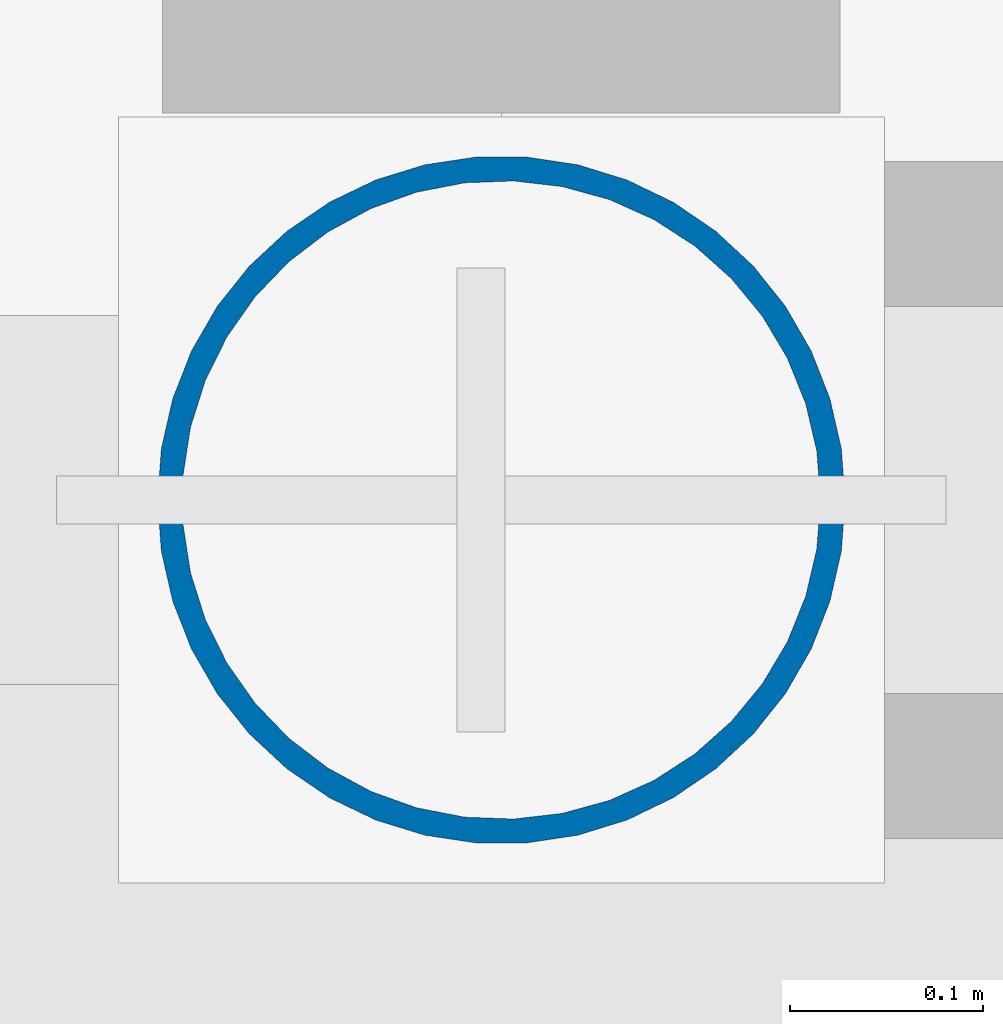
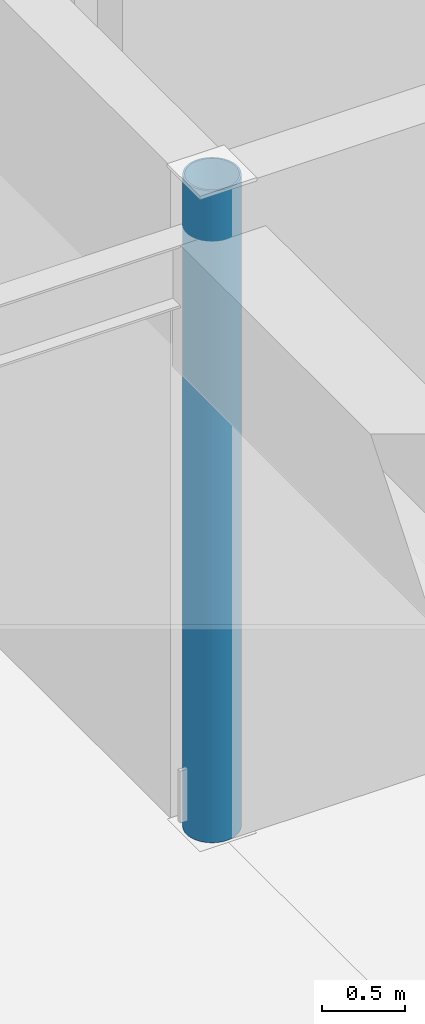
# One storey, part 16 of 186: 1 column.
"""IFC4 building model written with IfcOpenShell, lengths in metres."""

import ifcopenshell
import ifcopenshell.guid

model = None  # the IFC model being written
_history = None  # IfcOwnerHistory: only IFC2X3 demands one
_inside = {}  # id of a spatial element -> (the spatial element, [elements in it])
_under = {}  # id of a project, library or spatial element -> (it, [spatial elements below it])
_declared = {}  # id of a project -> (the project, [libraries it declares])
_typed = {}  # id of a type object -> (the type object, [elements of that type])
_made_of = {}  # id of a material, layer set ... -> (it, [elements and type objects made of it])


def new_model(schema):
    """Start an empty IFC model of exactly this schema.

    Asked for "IFC4X3", IfcOpenShell would pick the latest addendum, in which some entities
    have other attributes; the version numbers below select the first issue.
    IFC2X3 requires an IfcOwnerHistory on every rooted entity: one is made here for all.
    """
    global model, _history
    if schema == "IFC4X3":
        model = ifcopenshell.file(schema_version=(4, 3, 0, 0))
    else:
        model = ifcopenshell.file(schema=schema)
    _inside.clear()
    _under.clear()
    _declared.clear()
    _typed.clear()
    _made_of.clear()
    _history = None
    if model.schema == "IFC2X3":
        org = make("IfcOrganization", Name="unknown")
        user = make(
            "IfcPersonAndOrganization",
            ThePerson=make("IfcPerson", FamilyName="unknown"),
            TheOrganization=org,
        )
        app = make(
            "IfcApplication",
            ApplicationDeveloper=org,
            Version="unknown",
            ApplicationFullName="unknown",
            ApplicationIdentifier="unknown",
        )
        _history = make(
            "IfcOwnerHistory",
            OwningUser=user,
            OwningApplication=app,
            ChangeAction="ADDED",
            CreationDate=0,
        )
    return model


def make(cls, **values):
    """One entity of the class cls with the attributes given. An attribute that is None is left unset."""
    return model.create_entity(
        cls, **{name: value for name, value in values.items() if value is not None}
    )


def rooted(cls, **values):
    """An entity with a GlobalId (a new one), such as an element, a storey or a relation."""
    return make(cls, GlobalId=ifcopenshell.guid.new(), OwnerHistory=_history, **values)


def si_unit(unit_type, name, prefix=None):
    """IfcSIUnit, for example si_unit("LENGTHUNIT", "METRE", prefix="MILLI")."""
    return make("IfcSIUnit", UnitType=unit_type, Prefix=prefix, Name=name)


def assignment(units):
    """IfcUnitAssignment: the units of a project."""
    return None if units is None else make("IfcUnitAssignment", Units=units)


def point(xyz):
    """IfcCartesianPoint."""
    return None if xyz is None else make("IfcCartesianPoint", Coordinates=xyz)


def direction(xyz):
    """IfcDirection."""
    return None if xyz is None else make("IfcDirection", DirectionRatios=xyz)


def frame(location, z_axis=None, x_axis=None):
    """IfcAxis2Placement3D, a coordinate frame: its origin and axes. An axis left out is left unset."""
    return make(
        "IfcAxis2Placement3D",
        Location=point(location),
        Axis=direction(z_axis),
        RefDirection=direction(x_axis),
    )


def frame_2d(location, x_axis=None):
    """IfcAxis2Placement2D, a coordinate frame in the plane: its origin and x axis."""
    return make(
        "IfcAxis2Placement2D", Location=point(location), RefDirection=direction(x_axis)
    )


def origin():
    """The frame at (0, 0, 0) with its axes left unset."""
    return frame((0.0, 0.0, 0.0))


def origin_2d():
    """The frame at (0, 0) in the plane with its x axis left unset."""
    return frame_2d((0.0, 0.0))


def place(relative_to, where):
    """IfcLocalPlacement: puts the frame where relative to a parent placement (None: the world)."""
    return make(
        "IfcLocalPlacement", PlacementRelTo=relative_to, RelativePlacement=where
    )


def context(
    kind, dimensions, precision=None, world=None, true_north=None, identifier=None
):
    """IfcGeometricRepresentationContext, for example the 3D "Model" context."""
    return make(
        "IfcGeometricRepresentationContext",
        ContextIdentifier=identifier,
        ContextType=kind,
        CoordinateSpaceDimension=dimensions,
        Precision=precision,
        WorldCoordinateSystem=world,
        TrueNorth=true_north,
    )


def subcontext(parent, identifier, kind, view, scale=None):
    """IfcGeometricRepresentationSubContext, for example "Body" below "Model"."""
    return make(
        "IfcGeometricRepresentationSubContext",
        ContextIdentifier=identifier,
        ContextType=kind,
        ParentContext=parent,
        TargetScale=scale,
        TargetView=view,
    )


def project(units=None, contexts=None):
    """IfcProject with its units and contexts."""
    return rooted(
        "IfcProject",
        Name="project",
        RepresentationContexts=contexts,
        UnitsInContext=assignment(units),
    )


def spatial(cls, under=None, at=None, **own):
    """A site, building, storey or space (cls), placed at a placement, below another one or the project."""
    s = rooted(cls, ObjectPlacement=at, **own)
    if under is not None:
        _under.setdefault(under.id(), (under, []))[1].append(s)
    return s


def profile(cls, at=None, kind="AREA", **sizes):
    """A parametric profile (cls). Its sizes go by their IFC names, for example OverallWidth=200.0."""
    return make(cls, ProfileType=kind, Position=at, **sizes)


def hollow_circle(**sizes):
    """IfcCircleHollowProfileDef."""
    return profile("IfcCircleHollowProfileDef", **sizes)


def extrude(swept, where, along, depth):
    """IfcExtrudedAreaSolid: the profile swept, set in the frame where, extruded along a direction by depth."""
    return make(
        "IfcExtrudedAreaSolid",
        SweptArea=swept,
        Position=where,
        ExtrudedDirection=direction(along),
        Depth=depth,
    )


def shape(context_of_items, identifier, shape_type, items):
    """IfcShapeRepresentation: the items that make up one representation, for example the "Body"."""
    return make(
        "IfcShapeRepresentation",
        ContextOfItems=context_of_items,
        RepresentationIdentifier=identifier,
        RepresentationType=shape_type,
        Items=items,
    )


def material(Name=None, Category=None):
    """IfcMaterial."""
    return make("IfcMaterial", Name=Name, Category=Category)


def material_profile(
    of_material, cross_section, Name=None, Category=None, Priority=None
):
    """IfcMaterialProfile: a cross section and its material."""
    return make(
        "IfcMaterialProfile",
        Name=Name,
        Material=of_material,
        Profile=cross_section,
        Priority=Priority,
        Category=Category,
    )


def profile_set(profiles, Name=None, composite=None):
    """IfcMaterialProfileSet."""
    return make(
        "IfcMaterialProfileSet",
        Name=Name,
        MaterialProfiles=profiles,
        CompositeProfile=composite,
    )


def made_of(thing, what):
    """Note that an element or type object is made of a material, layer set ...; save() writes the relation."""
    if what is not None:
        _made_of.setdefault(what.id(), (what, []))[1].append(thing)
    return thing


def type_object(cls, material=None, **own):
    """A type object (cls), such as IfcWallType, which elements share."""
    return made_of(rooted(cls, **own), material)


def element(
    cls,
    number,
    at=None,
    inside=None,
    cuts=None,
    type_object=None,
    material=None,
    context=None,
    identifier="Body",
    shape_type=None,
    held_by="IfcProductDefinitionShape",
    body=None,
    shapes=None,
    **own,
):
    """One element of the class cls, such as IfcWall. Its Tag is "e" and its number.

    at: its placement. inside: the storey or other place that contains it. cuts: it is an
    opening in that element (IfcRelVoidsElement). A single representation is given by context,
    identifier, shape_type and body (its items); several are given by shapes. held_by: the class
    of the entity that holds the representations. save() writes the other relations.
    """
    e = rooted(cls, Tag="e%d" % number, ObjectPlacement=at, **own)
    if body is not None:
        shapes = [shape(context, identifier, shape_type, body)]
    if shapes is not None:
        e.Representation = make(held_by, Representations=shapes)
    if inside is not None:
        _inside.setdefault(inside.id(), (inside, []))[1].append(e)
    if cuts is not None:
        rooted(
            "IfcRelVoidsElement", RelatingBuildingElement=cuts, RelatedOpeningElement=e
        )
    if type_object is not None:
        _typed.setdefault(type_object.id(), (type_object, []))[1].append(e)
    return made_of(e, material)


def aggregate(whole, parts):
    """IfcRelAggregates: a whole, such as a stair, and the parts it consists of."""
    return rooted("IfcRelAggregates", RelatingObject=whole, RelatedObjects=parts)


def save(model, path):
    """Write the relations noted so far, then the file.

    IfcRelAggregates (storeys below a building ...), IfcRelContainedInSpatialStructure (elements
    in a storey), IfcRelDefinesByType, IfcRelAssociatesMaterial and IfcRelDeclares: one each for
    every whole, place, type object, material and project.
    """
    for whole, parts in _under.values():
        aggregate(whole, parts)
    for where, things in _inside.values():
        rooted(
            "IfcRelContainedInSpatialStructure",
            RelatedElements=things,
            RelatingStructure=where,
        )
    for kind, things in _typed.values():
        rooted("IfcRelDefinesByType", RelatedObjects=things, RelatingType=kind)
    for what, things in _made_of.values():
        rooted("IfcRelAssociatesMaterial", RelatedObjects=things, RelatingMaterial=what)
    for by, libraries in _declared.values():
        rooted("IfcRelDeclares", RelatingContext=by, RelatedDefinitions=libraries)
    model.write(path)


model = new_model("IFC4")

# Units and contexts
model_context = context("Model", 3, precision=1e-05, world=origin(), true_north=direction((0.0, 1.0)))
body_context = subcontext(model_context, "Body", "Model", "MODEL_VIEW")
ifc_project = project(units=[si_unit("LENGTHUNIT", "METRE"), si_unit("AREAUNIT", "SQUARE_METRE"), si_unit("VOLUMEUNIT", "CUBIC_METRE"), si_unit("PLANEANGLEUNIT", "RADIAN"), si_unit("MASSUNIT", "GRAM", prefix="KILO")], contexts=[model_context])

# Site, building, storey
site_placement = place(None, origin())
site = spatial("IfcSite", under=ifc_project, at=site_placement, CompositionType="ELEMENT")
building_placement = place(site_placement, origin())
building = spatial("IfcBuilding", under=site, at=building_placement, Name="Tarnwether General Hospital", CompositionType="ELEMENT")
storey_placement = place(building_placement, frame((0.0, 0.0, 9.60009765625)))
storey = spatial("IfcBuildingStorey", under=building, at=storey_placement, Name="L02", CompositionType="ELEMENT", Elevation=9.60009765625)

# Column
ifc_material = material(Name="Steel Grade C350L0 (350 MPa)", Category="steel")
ifc_material_profile = material_profile(ifc_material, hollow_circle(Radius=0.177734375, WallThickness=0.0126953125, at=origin_2d()), Name="CHS355.6x12.7")
ifc_profile_set = profile_set([ifc_material_profile], Name="Steel Grade C350L0 (350 MPa)")
column_type = type_object("IfcColumnType", Name="COL-11", PredefinedType="COLUMN", material=ifc_profile_set)
column_placement = place(storey_placement, frame((24.0, 69.60009765625, 0.0), z_axis=(0.0, 0.0, 1.0), x_axis=(1.0, 0.0, 0.0)))
element("IfcColumn", 1, at=column_placement, inside=storey, type_object=column_type, Name="Column COLG-L02-2400_6960", PredefinedType="COLUMN", context=body_context, shape_type="SweptSolid", body=[
    extrude(hollow_circle(Radius=0.177734375, WallThickness=0.0126953125, at=origin_2d()), origin(), (0.0, 0.0, 1.0), 4.7998046875),
])

save(model, "model.ifc")
